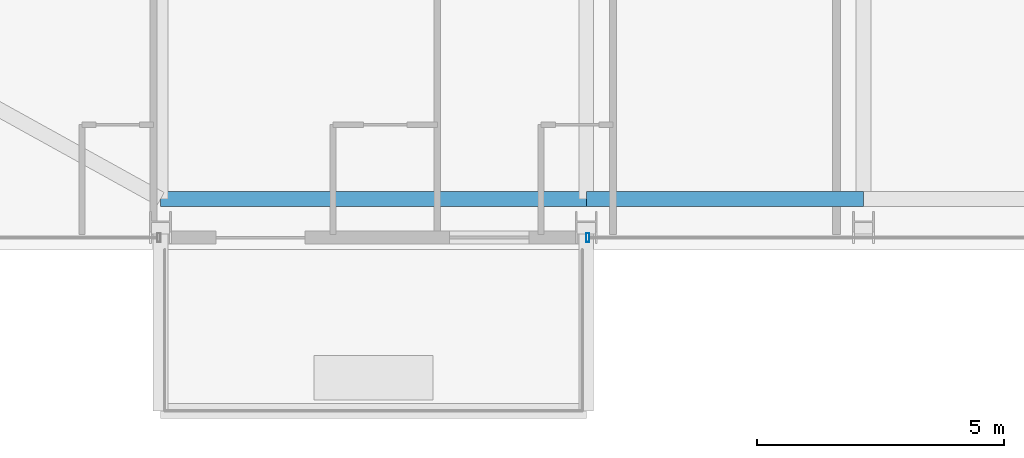
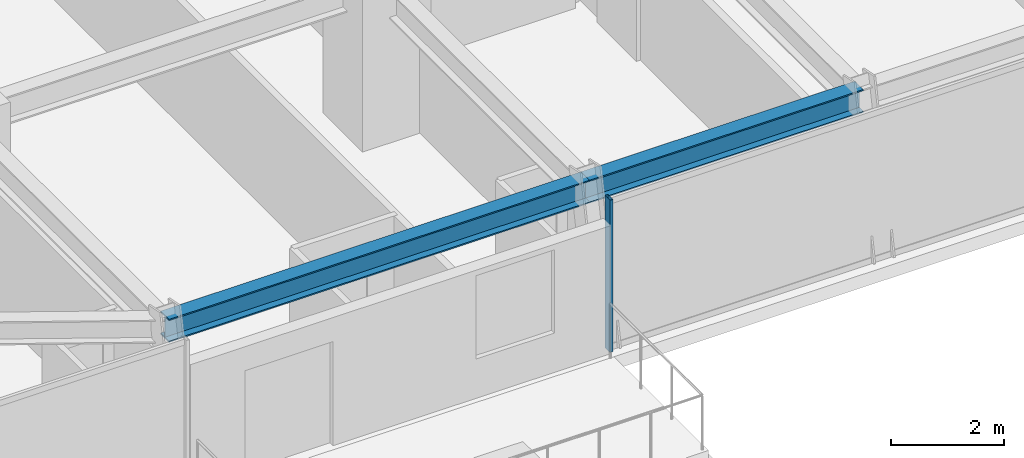
# One storey, part 5 of 35: 2 beams, 1 member, 1 element without a shape of its own.
"""IFC4 building model written with IfcOpenShell, lengths in metres."""

from ifc_helpers import new_model, si_unit, direction, frame, origin, origin_2d, place, context, subcontext, project, spatial, hollow_rectangle, i_section, extrude, source, transform, mapped, material, material_profile, profile_set, type_object, element, aggregate, save


model = new_model("IFC4")

# Units and contexts
model_context = context("Model", 3, precision=1e-05, world=origin(), true_north=direction((0.0, 1.0)))
body_context = subcontext(model_context, "Body", "Model", "MODEL_VIEW")
ifc_project = project(units=[si_unit("LENGTHUNIT", "METRE"), si_unit("AREAUNIT", "SQUARE_METRE"), si_unit("VOLUMEUNIT", "CUBIC_METRE"), si_unit("PLANEANGLEUNIT", "RADIAN"), si_unit("MASSUNIT", "GRAM", prefix="KILO")], contexts=[model_context])

# Site, building, storey
site_placement = place(None, origin())
site = spatial("IfcSite", under=ifc_project, at=site_placement, CompositionType="ELEMENT")
building_placement = place(site_placement, origin())
building = spatial("IfcBuilding", under=site, at=building_placement, Name="Nahalor Promenade Grand Hotel", CompositionType="ELEMENT")
storey_placement = place(building_placement, frame((0.0, 0.0, 79.85009765625)))
storey = spatial("IfcBuildingStorey", under=building, at=storey_placement, Name="L19", CompositionType="ELEMENT", Elevation=79.85009765625)

# Beams
ifc_material_1 = material(Name="Steel S355JR", Category="steel")
ifc_material_profile_1 = material_profile(ifc_material_1, i_section(OverallWidth=0.3, OverallDepth=0.5, WebThickness=0.0145, FlangeThickness=0.028, at=origin_2d()), Name="HEB 500")
ifc_profile_set_1 = profile_set([ifc_material_profile_1], Name="Steel S355JR")
beam_type = type_object("IfcBeamType", Name="Beam-Spandrel-HEB500", PredefinedType="SPANDREL", material=ifc_profile_set_1)
shared_shape_1 = source(origin(), body_context, "Body", "SweptSolid", [
    extrude(i_section(OverallWidth=0.3, OverallDepth=0.5, WebThickness=0.0145, FlangeThickness=0.028, at=origin_2d()), origin(), (0.0, 0.0, 1.0), 8.60009765625),
])
beam_1_placement = place(storey_placement, frame((-17.0, -24.3798828125, 3.039794921875), z_axis=(1.0, 0.0, 0.0), x_axis=(0.0, 1.0, 0.0)))
element("IfcBeam", 1, at=beam_1_placement, inside=storey, type_object=beam_type, Name="BM-L19-SP-S-0", PredefinedType="SPANDREL", context=body_context, shape_type="MappedRepresentation", body=[
    mapped(shared_shape_1, transform((0.0, 0.0, 0.0), scale=1.0)),
])
shared_shape_2 = source(origin(), body_context, "Body", "SweptSolid", [
    extrude(i_section(OverallWidth=0.3, OverallDepth=0.5, WebThickness=0.0145, FlangeThickness=0.028, at=origin_2d()), origin(), (0.0, 0.0, 1.0), 5.599853515625),
])
beam_2_placement = place(storey_placement, frame((-8.39990234375, -24.3798828125, 3.039794921875), z_axis=(1.0, 0.0, 0.0), x_axis=(0.0, 1.0, 0.0)))
element("IfcBeam", 2, at=beam_2_placement, inside=storey, type_object=beam_type, Name="BM-L19-SP-S-1", PredefinedType="SPANDREL", context=body_context, shape_type="MappedRepresentation", body=[
    mapped(shared_shape_2, transform((0.0, 0.0, 0.0), scale=1.0)),
])

# Curtain wall, member
ifc_material_2 = material(Name="Anodised Bronze Aluminium EN AW-6063 T6", Category="aluminium")
curtain_wall_type = type_object("IfcCurtainWallType", Name="CW2 Typical Hotel Flush Bronze Unitised Curtain Wall", PredefinedType="USERDEFINED", material=ifc_material_2)
curtain_wall_placement = place(storey_placement, origin())
curtain_wall = element("IfcCurtainWall", 3, at=curtain_wall_placement, inside=storey, type_object=curtain_wall_type, Name="L19 Curtain Wall CW-L19-S-3", ObjectType="UNITISED_CURTAIN_WALL", PredefinedType="USERDEFINED")
ifc_material_profile_2 = material_profile(ifc_material_2, hollow_rectangle(XDim=0.065, YDim=0.18, WallThickness=0.004, at=origin_2d()), Name="CWM 65x180x4")
ifc_profile_set_2 = profile_set([ifc_material_profile_2], Name="Anodised Bronze Aluminium EN AW-6063 T6")
member_type = type_object("IfcMemberType", Name="CWM2 Typical Bronze Mullion 65x180", PredefinedType="MULLION", material=ifc_profile_set_2)
shared_shape_3 = source(origin(), body_context, "Body", "SweptSolid", [
    extrude(hollow_rectangle(XDim=0.065, YDim=0.18, WallThickness=0.004, at=origin_2d()), origin(), (0.0, 0.0, 1.0), 3.289794921875),
])
member_placement = place(storey_placement, frame((-8.367431640625, -25.159912109375, 0.0), z_axis=(0.0, 0.0, 1.0), x_axis=(1.0, 0.0, 0.0)))
member = element("IfcMember", 4, at=member_placement, type_object=member_type, Name="CW-L19-S-3 Mullion 0", PredefinedType="MULLION", context=body_context, shape_type="MappedRepresentation", body=[
    mapped(shared_shape_3, transform((0.0, 0.0, 0.0), scale=1.0)),
])
aggregate(curtain_wall, [member])

save(model, "model.ifc")
